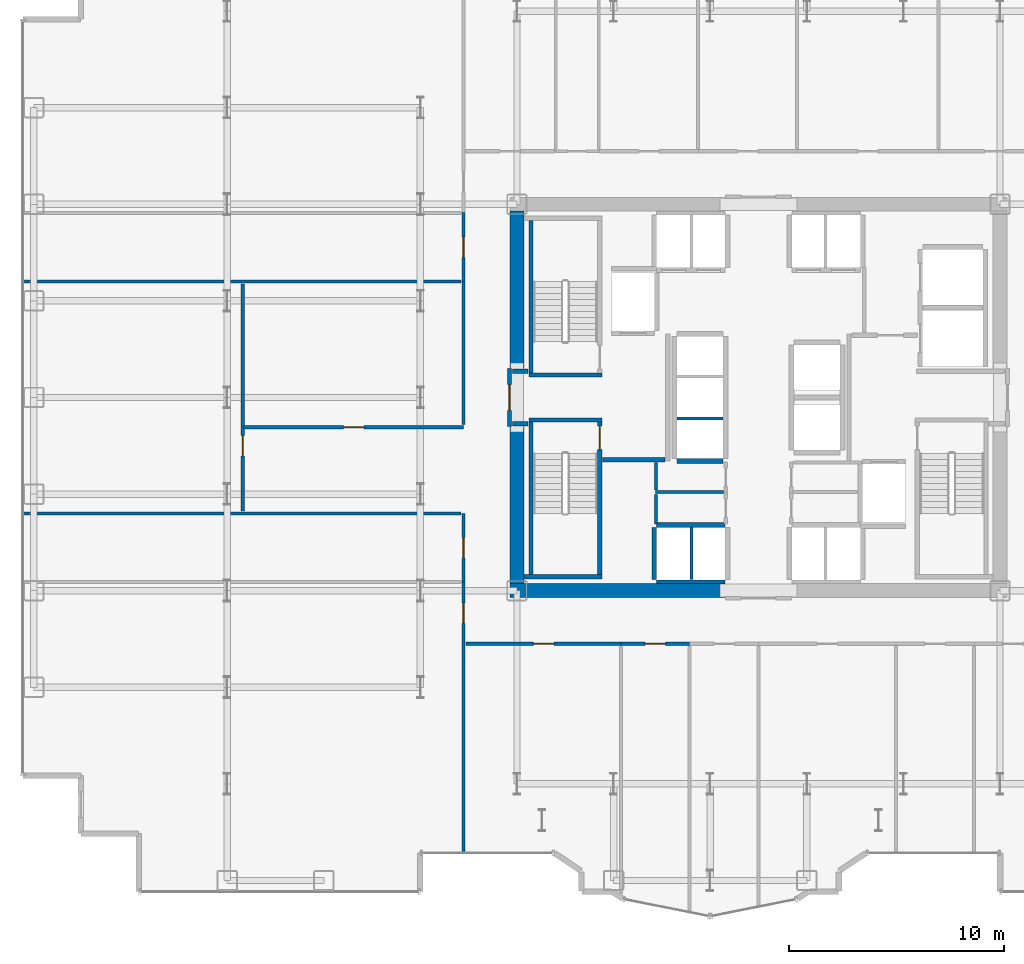
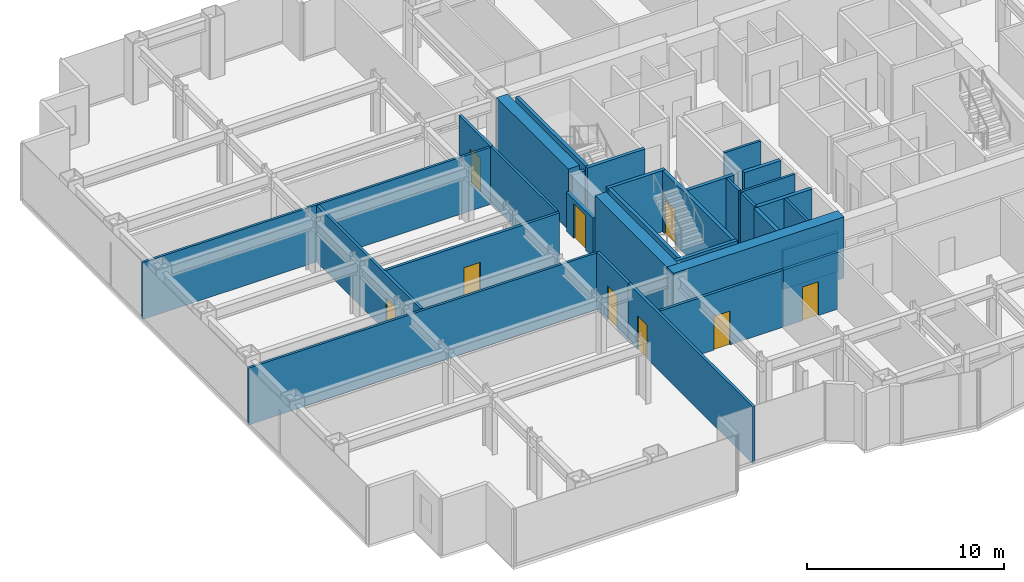
# One storey, part 20 of 25: 32 walls, 9 doors, 9 openings.
"""IFC4 building model written with IfcOpenShell, lengths in metres."""

from ifc_helpers import new_model, si_unit, direction, frame, frame_2d, origin, place, context, subcontext, project, spatial, rectangle, extrude, source, transform, mapped, material, layer, layer_set, type_object, element, fill, save


model = new_model("IFC4")

# Units and contexts
model_context = context("Model", 3, precision=1e-05, world=origin(), true_north=direction((0.0, 1.0)))
body_context = subcontext(model_context, "Body", "Model", "MODEL_VIEW")
ifc_project = project(units=[si_unit("LENGTHUNIT", "METRE"), si_unit("AREAUNIT", "SQUARE_METRE"), si_unit("VOLUMEUNIT", "CUBIC_METRE"), si_unit("PLANEANGLEUNIT", "RADIAN"), si_unit("MASSUNIT", "GRAM", prefix="KILO")], contexts=[model_context])

# Site, building, storey
site_placement = place(None, origin())
site = spatial("IfcSite", under=ifc_project, at=site_placement, CompositionType="ELEMENT")
building_placement = place(site_placement, origin())
building = spatial("IfcBuilding", under=site, at=building_placement, Name="Nefas-Gora Pilgrimage Tower", CompositionType="ELEMENT")
storey_placement = place(building_placement, frame((0.0, 0.0, 71.0)))
storey = spatial("IfcBuildingStorey", under=building, at=storey_placement, Name="L16", CompositionType="ELEMENT", Elevation=71.0)

# Walls
ifc_material_1 = material(Name="Concrete C60/75", Category="concrete")
ifc_layer_1 = layer(ifc_material_1, 0.64990234375)
ifc_layer_set_1 = layer_set([ifc_layer_1], Name="Concrete C60/75")
wall_type_1 = type_object("IfcWallType", Name="SW-CORE-650", PredefinedType="SHEAR", material=ifc_layer_set_1)
shared_shape_1 = source(origin(), body_context, "Body", "SweptSolid", [
    extrude(rectangle(XDim=10.02490234375, YDim=0.64990234375, at=frame_2d((5.012451171875, 0.0))), origin(), (0.0, 0.0, 1.0), 3.800048828125),
])
wall_1_placement = place(storey_placement, frame((-11.574951171875, -9.0, 0.0), z_axis=(0.0, 0.0, 1.0), x_axis=(1.0, 0.0, 0.0)))
element("IfcWall", 1, at=wall_1_placement, inside=storey, type_object=wall_type_1, Name="L16 Core Shear Wall S-West", PredefinedType="SHEAR", context=body_context, shape_type="MappedRepresentation", body=[
    mapped(shared_shape_1, transform((0.0, 0.0, 0.0), x_axis=(1.0, 0.0, 0.0), y_axis=(0.0, 1.0, 0.0), z_axis=(0.0, 0.0, 1.0), scale=1.0)),
])
shared_shape_2 = source(origin(), body_context, "Body", "SweptSolid", [
    extrude(rectangle(XDim=7.324951171875, YDim=0.64990234375, at=frame_2d((3.66259765625, 0.0))), origin(), (0.0, 0.0, 1.0), 3.800048828125),
])
for number, where, z_axis, x_axis, name in (
    (2, (-11.25, -8.675048828125, 0.0), (0.0, 0.0, 1.0), (0.0, 1.0, 0.0), "L16 Core Shear Wall W-South"),
    (3, (-11.25, 1.35009765625, 0.0), (0.0, 0.0, 1.0), (0.0, 1.0, 0.0), "L16 Core Shear Wall W-North"),
):
    element("IfcWall", number, at=place(storey_placement, frame(where, z_axis=z_axis, x_axis=x_axis)), inside=storey, type_object=wall_type_1, Name=name, PredefinedType="SHEAR", context=body_context, shape_type="MappedRepresentation", body=[
        mapped(shared_shape_2, transform((0.0, 0.0, 0.0), x_axis=(1.0, 0.0, 0.0), y_axis=(0.0, 1.0, 0.0), z_axis=(0.0, 0.0, 1.0), scale=1.0)),
    ])
ifc_material_2 = material(Name="Concrete C45/55", Category="concrete")
ifc_layer_2 = layer(ifc_material_2, 0.199951171875)
ifc_layer_set_2 = layer_set([ifc_layer_2], Name="Concrete C45/55")
wall_type_2 = type_object("IfcWallType", Name="IW-STAIR-200", PredefinedType="SOLIDWALL", material=ifc_layer_set_2)
shared_shape_3 = source(origin(), body_context, "Body", "SweptSolid", [
    extrude(rectangle(XDim=3.39990234375, YDim=0.199951171875, at=frame_2d((1.699951171875, 0.0))), origin(), (0.0, 0.0, 1.0), 3.800048828125),
])
for number, where, z_axis, x_axis, name in (
    (4, (-7.300048828125, 1.050048828125, 0.0), (0.0, 0.0, 1.0), (-1.0, 0.0, 0.0), "L16 Stairwell Shear Wall ST-01-near"),
    (5, (-10.699951171875, -1.050048828125, 0.0), (0.0, 0.0, 1.0), (1.0, 0.0, 0.0), "L16 Stairwell Shear Wall ST-03-near"),
):
    element("IfcWall", number, at=place(storey_placement, frame(where, z_axis=z_axis, x_axis=x_axis)), inside=storey, type_object=wall_type_2, Name=name, PredefinedType="SOLIDWALL", context=body_context, shape_type="MappedRepresentation", body=[
        mapped(shared_shape_3, transform((0.0, 0.0, 0.0), x_axis=(1.0, 0.0, 0.0), y_axis=(0.0, 1.0, 0.0), z_axis=(0.0, 0.0, 1.0), scale=1.0)),
    ])
shared_shape_4 = source(origin(), body_context, "Body", "SweptSolid", [
    extrude(rectangle(XDim=3.6298828125, YDim=0.199951171875, at=frame_2d((1.81494140625, 0.0))), origin(), (0.0, 0.0, 1.0), 3.800048828125),
])
wall_2_placement = place(storey_placement, frame((-10.929931640625, -8.35009765625, 0.0), z_axis=(0.0, 0.0, 1.0), x_axis=(1.0, 0.0, 0.0)))
element("IfcWall", 6, at=wall_2_placement, inside=storey, type_object=wall_type_2, Name="L16 Stairwell Shear Wall ST-03-far", PredefinedType="SOLIDWALL", context=body_context, shape_type="MappedRepresentation", body=[
    mapped(shared_shape_4, transform((0.0, 0.0, 0.0), x_axis=(1.0, 0.0, 0.0), y_axis=(0.0, 1.0, 0.0), z_axis=(0.0, 0.0, 1.0), scale=1.0)),
])
shared_shape_5 = source(origin(), body_context, "Body", "SweptSolid", [
    extrude(rectangle(XDim=7.10009765625, YDim=0.199951171875, at=frame_2d((3.550048828125, 0.0))), origin(), (0.0, 0.0, 1.0), 3.800048828125),
])
for number, where, z_axis, x_axis, name in (
    (7, (-10.60009765625, 1.14990234375, 0.0), (0.0, 0.0, 1.0), (0.0, 1.0, 0.0), "L16 Stairwell Shear Wall ST-01-right"),
    (8, (-10.60009765625, -1.14990234375, 0.0), (0.0, 0.0, 1.0), (0.0, -1.0, 0.0), "L16 Stairwell Shear Wall ST-03-left"),
):
    element("IfcWall", number, at=place(storey_placement, frame(where, z_axis=z_axis, x_axis=x_axis)), inside=storey, type_object=wall_type_2, Name=name, PredefinedType="SOLIDWALL", context=body_context, shape_type="MappedRepresentation", body=[
        mapped(shared_shape_5, transform((0.0, 0.0, 0.0), x_axis=(1.0, 0.0, 0.0), y_axis=(0.0, 1.0, 0.0), z_axis=(0.0, 0.0, 1.0), scale=1.0)),
    ])

# Wall, opening, door
wall_3_placement = place(storey_placement, frame((-7.39990234375, -1.14990234375, 0.0), z_axis=(0.0, 0.0, 1.0), x_axis=(0.0, -1.0, 0.0)))
wall_3 = element("IfcWall", 9, at=wall_3_placement, inside=storey, type_object=wall_type_2, Name="L16 Stairwell Shear Wall ST-03-right", PredefinedType="SOLIDWALL", context=body_context, shape_type="MappedRepresentation", body=[
    mapped(shared_shape_5, transform((0.0, 0.0, 0.0), x_axis=(1.0, 0.0, 0.0), y_axis=(0.0, 1.0, 0.0), z_axis=(0.0, 0.0, 1.0), scale=1.0)),
])
opening_1_placement = place(wall_3_placement, frame((0.179931640625, 0.0, 0.0)))
opening_1 = element("IfcOpeningElement", 10, at=opening_1_placement, cuts=wall_3, Name="Opening ID-ST1", PredefinedType="OPENING", context=body_context, shape_type="SweptSolid", body=[
    extrude(rectangle(XDim=1.10009765625, YDim=2.14990234375, at=frame_2d((0.550048828125, 1.074951171875))), frame((0.0, 0.10986328125, 0.0), z_axis=(0.0, -1.0, 0.0), x_axis=(1.0, 0.0, 0.0)), (0.0, 0.0, 1.0), 0.219970703125),
])
ifc_material_3 = material(Name="Painted galvanised steel fire stair door", Category="steel")
door_type_1 = type_object("IfcDoorType", Name="DR-INT-STAIR-1100", OperationType="NOTDEFINED", PredefinedType="DOOR", material=ifc_material_3)
shared_shape_6 = source(origin(), body_context, "Body", "SweptSolid", [
    extrude(rectangle(XDim=1.10009765625, YDim=2.14990234375, at=frame_2d((0.550048828125, 1.074951171875))), frame((0.0, 0.02490234375, 0.0), z_axis=(0.0, -1.0, 0.0), x_axis=(1.0, 0.0, 0.0)), (0.0, 0.0, 1.0), 0.050048828125),
])
door_1_placement = place(opening_1_placement, origin())
door_1 = element("IfcDoor", 11, at=door_1_placement, inside=storey, type_object=door_type_1, Name="L16 Protected Exit Stair Door ST-03", OperationType="SINGLE_SWING_RIGHT", OverallHeight=2.14990234375, OverallWidth=1.10009765625, PredefinedType="DOOR", context=body_context, shape_type="MappedRepresentation", body=[
    mapped(shared_shape_6, transform((0.0, 0.0, 0.0), x_axis=(1.0, 0.0, 0.0), y_axis=(0.0, 1.0, 0.0), z_axis=(0.0, 0.0, 1.0), scale=1.0)),
])
fill(opening_1, door_1)

# Walls
ifc_material_4 = material(Name="Concrete C40/50", Category="concrete")
ifc_layer_3 = layer(ifc_material_4, 0.219970703125)
ifc_layer_set_3 = layer_set([ifc_layer_3], Name="Concrete C40/50")
wall_type_3 = type_object("IfcWallType", Name="IW-SHAFT-220", PredefinedType="SOLIDWALL", material=ifc_layer_set_3)
shared_shape_7 = source(origin(), body_context, "Body", "SweptSolid", [
    extrude(rectangle(XDim=3.199951171875, YDim=0.219970703125, at=frame_2d((1.60009765625, 0.0))), origin(), (0.0, 0.0, 1.0), 3.534912109375),
])
wall_4_placement = place(storey_placement, frame((-1.550048828125, -5.93994140625, 0.0), z_axis=(0.0, 0.0, 1.0), x_axis=(-1.0, 0.0, 0.0)))
element("IfcWall", 12, at=wall_4_placement, inside=storey, type_object=wall_type_3, Name="L16 Hoistway Wall PL2-W-N", PredefinedType="SOLIDWALL", context=body_context, shape_type="MappedRepresentation", body=[
    mapped(shared_shape_7, transform((0.0, 0.0, 0.0), x_axis=(1.0, 0.0, 0.0), y_axis=(0.0, 1.0, 0.0), z_axis=(0.0, 0.0, 1.0), scale=1.0)),
])
ifc_material_5 = material(Name="Gypsum acoustic stud partition")
ifc_layer_4 = layer(ifc_material_5, 0.159912109375)
ifc_layer_set_4 = layer_set([ifc_layer_4], Name="Gypsum acoustic stud partition")
wall_type_4 = type_object("IfcWallType", Name="IW-CORR-160", PredefinedType="PARTITIONING", material=ifc_layer_set_4)
shared_shape_8 = source(origin(), body_context, "Body", "SweptSolid", [
    extrude(rectangle(XDim=3.199951171875, YDim=0.159912109375, at=frame_2d((1.60009765625, 0.0))), origin(), (0.0, 0.0, 1.0), 2.425048828125),
])
wall_5_placement = place(storey_placement, frame((-4.75, -8.580078125, 0.0), z_axis=(0.0, 0.0, 1.0), x_axis=(1.0, 0.0, 0.0)))
element("IfcWall", 13, at=wall_5_placement, inside=storey, type_object=wall_type_4, Name="L16 Hoistway Wall PL2-W-S", PredefinedType="PARTITIONING", context=body_context, shape_type="MappedRepresentation", body=[
    mapped(shared_shape_8, transform((0.0, 0.0, 0.0), x_axis=(1.0, 0.0, 0.0), y_axis=(0.0, 1.0, 0.0), z_axis=(0.0, 0.0, 1.0), scale=1.0)),
])
shared_shape_9 = source(origin(), body_context, "Body", "SweptSolid", [
    extrude(rectangle(XDim=2.429931640625, YDim=0.219970703125, at=frame_2d((1.21484375, 0.0))), origin(), (0.0, 0.0, 1.0), 3.534912109375),
])
wall_6_placement = place(storey_placement, frame((-4.860107421875, -6.06005859375, 0.0), z_axis=(0.0, 0.0, 1.0), x_axis=(0.0, -1.0, 0.0)))
element("IfcWall", 14, at=wall_6_placement, inside=storey, type_object=wall_type_3, Name="L16 Hoistway Wall PL2-W-W", PredefinedType="SOLIDWALL", context=body_context, shape_type="MappedRepresentation", body=[
    mapped(shared_shape_9, transform((0.0, 0.0, 0.0), x_axis=(1.0, 0.0, 0.0), y_axis=(0.0, 1.0, 0.0), z_axis=(0.0, 0.0, 1.0), scale=1.0)),
])
ifc_material_6 = material(Name="Gypsum twin-stud partition")
ifc_layer_5 = layer(ifc_material_6, 0.139892578125)
ifc_layer_set_5 = layer_set([ifc_layer_5], Name="Gypsum twin-stud partition")
wall_type_5 = type_object("IfcWallType", Name="IW-UNIT-140", PredefinedType="PARTITIONING", material=ifc_layer_set_5)
shared_shape_10 = source(origin(), body_context, "Body", "SweptSolid", [
    extrude(rectangle(XDim=2.429931640625, YDim=0.139892578125, at=frame_2d((1.21484375, 0.0))), origin(), (0.0, 0.0, 1.0), 3.534912109375),
])
wall_7_placement = place(storey_placement, frame((-3.125, -8.489990234375, 0.0), z_axis=(0.0, 0.0, 1.0), x_axis=(0.0, 1.0, 0.0)))
element("IfcWall", 15, at=wall_7_placement, inside=storey, type_object=wall_type_5, Name="L16 Hoistway Wall PL2-W-DIV", PredefinedType="PARTITIONING", context=body_context, shape_type="MappedRepresentation", body=[
    mapped(shared_shape_10, transform((0.0, 0.0, 0.0), x_axis=(1.0, 0.0, 0.0), y_axis=(0.0, 1.0, 0.0), z_axis=(0.0, 0.0, 1.0), scale=1.0)),
])
shared_shape_11 = source(origin(), body_context, "Body", "SweptSolid", [
    extrude(rectangle(XDim=2.130126953125, YDim=0.219970703125, at=frame_2d((1.06494140625, 0.0))), origin(), (0.0, 0.0, 1.0), 3.534912109375),
])
wall_8_placement = place(storey_placement, frame((-3.7900390625, -2.9599609375, 0.0), z_axis=(0.0, 0.0, 1.0), x_axis=(1.0, 0.0, 0.0)))
element("IfcWall", 16, at=wall_8_placement, inside=storey, type_object=wall_type_3, Name="L16 Hoistway Wall PL3-01-S", PredefinedType="SOLIDWALL", context=body_context, shape_type="MappedRepresentation", body=[
    mapped(shared_shape_11, transform((0.0, 0.0, 0.0), x_axis=(1.0, 0.0, 0.0), y_axis=(0.0, 1.0, 0.0), z_axis=(0.0, 0.0, 1.0), scale=1.0)),
])
shared_shape_12 = source(origin(), body_context, "Body", "SweptSolid", [
    extrude(rectangle(XDim=2.130126953125, YDim=0.139892578125, at=frame_2d((1.06494140625, 0.0))), origin(), (0.0, 0.0, 1.0), 3.534912109375),
])
wall_9_placement = place(storey_placement, frame((-3.7900390625, -0.97509765625, 0.0), z_axis=(0.0, 0.0, 1.0), x_axis=(1.0, 0.0, 0.0)))
element("IfcWall", 17, at=wall_9_placement, inside=storey, type_object=wall_type_5, Name="L16 Hoistway Wall PL3-01-02-DIV", PredefinedType="PARTITIONING", context=body_context, shape_type="MappedRepresentation", body=[
    mapped(shared_shape_12, transform((0.0, 0.0, 0.0), x_axis=(1.0, 0.0, 0.0), y_axis=(0.0, 1.0, 0.0), z_axis=(0.0, 0.0, 1.0), scale=1.0)),
])

# Wall, opening, door
ifc_material_7 = material(Name="Gypsum fire-rated shaftwall")
ifc_layer_6 = layer(ifc_material_7, 0.199951171875)
ifc_layer_set_6 = layer_set([ifc_layer_6], Name="Gypsum fire-rated shaftwall")
wall_type_6 = type_object("IfcWallType", Name="IW-FFLOB-200", PredefinedType="PARTITIONING", material=ifc_layer_set_6)
shared_shape_13 = source(origin(), body_context, "Body", "SweptSolid", [
    extrude(rectangle(XDim=2.7001953125, YDim=0.199951171875, at=frame_2d((1.35009765625, 0.0))), origin(), (0.0, 0.0, 1.0), 2.425048828125),
])
wall_10_placement = place(storey_placement, frame((-11.60009765625, -1.35009765625, 0.0), z_axis=(0.0, 0.0, 1.0), x_axis=(0.0, 1.0, 0.0)))
wall_10 = element("IfcWall", 18, at=wall_10_placement, inside=storey, type_object=wall_type_6, Name="L16 FF Lobby West Portal Wall 3", PredefinedType="PARTITIONING", context=body_context, shape_type="MappedRepresentation", body=[
    mapped(shared_shape_13, transform((0.0, 0.0, 0.0), x_axis=(1.0, 0.0, 0.0), y_axis=(0.0, 1.0, 0.0), z_axis=(0.0, 0.0, 1.0), scale=1.0)),
])
opening_2_placement = place(wall_10_placement, frame((0.75, 0.0, 0.0)))
opening_2 = element("IfcOpeningElement", 19, at=opening_2_placement, cuts=wall_10, Name="Opening ID-FF1", PredefinedType="OPENING", context=body_context, shape_type="SweptSolid", body=[
    extrude(rectangle(XDim=1.199951171875, YDim=2.14990234375, at=frame_2d((0.60009765625, 1.074951171875))), frame((0.0, 0.10986328125, 0.0), z_axis=(0.0, -1.0, 0.0), x_axis=(1.0, 0.0, 0.0)), (0.0, 0.0, 1.0), 0.219970703125),
])
ifc_material_8 = material(Name="Smoke-sealed steel firefighting lobby door", Category="steel")
door_type_2 = type_object("IfcDoorType", Name="DR-INT-FFLOB-1200", OperationType="NOTDEFINED", PredefinedType="DOOR", material=ifc_material_8)
shared_shape_14 = source(origin(), body_context, "Body", "SweptSolid", [
    extrude(rectangle(XDim=1.199951171875, YDim=2.14990234375, at=frame_2d((0.60009765625, 1.074951171875))), frame((0.0, 0.02490234375, 0.0), z_axis=(0.0, -1.0, 0.0), x_axis=(1.0, 0.0, 0.0)), (0.0, 0.0, 1.0), 0.050048828125),
])
door_2_placement = place(opening_2_placement, origin())
door_2 = element("IfcDoor", 20, at=door_2_placement, inside=storey, type_object=door_type_2, Name="L16 FF Lobby West Portal Door 1", OperationType="SINGLE_SWING_RIGHT", OverallHeight=2.14990234375, OverallWidth=1.199951171875, PredefinedType="DOOR", context=body_context, shape_type="MappedRepresentation", body=[
    mapped(shared_shape_14, transform((0.0, 0.0, 0.0), x_axis=(1.0, 0.0, 0.0), y_axis=(0.0, 1.0, 0.0), z_axis=(0.0, 0.0, 1.0), scale=1.0)),
])
fill(opening_2, door_2)

# Walls
shared_shape_15 = source(origin(), body_context, "Body", "SweptSolid", [
    extrude(rectangle(XDim=2.89990234375, YDim=0.199951171875, at=frame_2d((1.449951171875, 0.0))), origin(), (0.0, 0.0, 1.0), 3.534912109375),
])
wall_11_placement = place(storey_placement, frame((-7.260009765625, -2.89990234375, 0.0), z_axis=(0.0, 0.0, 1.0), x_axis=(1.0, 0.0, 0.0)))
element("IfcWall", 21, at=wall_11_placement, inside=storey, type_object=wall_type_6, Name="L16 FF Lobby West South Wall Wall 5", PredefinedType="PARTITIONING", context=body_context, shape_type="MappedRepresentation", body=[
    mapped(shared_shape_15, transform((0.0, 0.0, 0.0), x_axis=(1.0, 0.0, 0.0), y_axis=(0.0, 1.0, 0.0), z_axis=(0.0, 0.0, 1.0), scale=1.0)),
])
shared_shape_16 = source(origin(), body_context, "Body", "SweptSolid", [
    extrude(rectangle(XDim=0.719970703125, YDim=0.199951171875, at=frame_2d((0.35986328125, 0.0))), origin(), (0.0, 0.0, 1.0), 3.534912109375),
])
for number, where, z_axis, x_axis, name in (
    (22, (-11.4599609375, 1.219970703125, 0.0), (0.0, 0.0, 1.0), (1.0, 0.0, 0.0), "L16 FF Lobby West Throat N Wall 6"),
    (23, (-11.4599609375, -1.219970703125, 0.0), (0.0, 0.0, 1.0), (1.0, 0.0, 0.0), "L16 FF Lobby West Throat S Wall 7"),
):
    element("IfcWall", number, at=place(storey_placement, frame(where, z_axis=z_axis, x_axis=x_axis)), inside=storey, type_object=wall_type_6, Name=name, PredefinedType="PARTITIONING", context=body_context, shape_type="MappedRepresentation", body=[
        mapped(shared_shape_16, transform((0.0, 0.0, 0.0), x_axis=(1.0, 0.0, 0.0), y_axis=(0.0, 1.0, 0.0), z_axis=(0.0, 0.0, 1.0), scale=1.0)),
    ])

# Wall, opening, door
shared_shape_17 = source(origin(), body_context, "Body", "SweptSolid", [
    extrude(rectangle(XDim=10.25, YDim=0.159912109375, at=frame_2d((5.125, 0.0))), origin(), (0.0, 0.0, 1.0), 3.534912109375),
])
wall_12_placement = place(storey_placement, frame((-23.97998046875, -1.3798828125, 0.0), z_axis=(0.0, 0.0, 1.0), x_axis=(1.0, 0.0, 0.0)))
wall_12 = element("IfcWall", 24, at=wall_12_placement, inside=storey, type_object=wall_type_4, Name="L16 Pilgrim Floor Concierge Foyer Partition Wall 32", PredefinedType="PARTITIONING", context=body_context, shape_type="MappedRepresentation", body=[
    mapped(shared_shape_17, transform((0.0, 0.0, 0.0), x_axis=(1.0, 0.0, 0.0), y_axis=(0.0, 1.0, 0.0), z_axis=(0.0, 0.0, 1.0), scale=1.0)),
])
opening_3_placement = place(wall_12_placement, frame((4.64990234375, 0.0, 0.0)))
opening_3 = element("IfcOpeningElement", 25, at=opening_3_placement, cuts=wall_12, Name="Opening ID-GR1", PredefinedType="OPENING", context=body_context, shape_type="SweptSolid", body=[
    extrude(rectangle(XDim=0.949951171875, YDim=2.10009765625, at=frame_2d((0.47509765625, 1.050048828125))), frame((0.0, 0.08984375, 0.0), z_axis=(0.0, -1.0, 0.0), x_axis=(1.0, 0.0, 0.0)), (0.0, 0.0, 1.0), 0.179931640625),
])
ifc_material_9 = material(Name="Solid core oak fire-rated guest entrance door")
door_type_3 = type_object("IfcDoorType", Name="DR-INT-GUEST-950", OperationType="NOTDEFINED", PredefinedType="DOOR", material=ifc_material_9)
shared_shape_18 = source(origin(), body_context, "Body", "SweptSolid", [
    extrude(rectangle(XDim=0.949951171875, YDim=2.10009765625, at=frame_2d((0.47509765625, 1.050048828125))), frame((0.0, 0.02490234375, 0.0), z_axis=(0.0, -1.0, 0.0), x_axis=(1.0, 0.0, 0.0)), (0.0, 0.0, 1.0), 0.050048828125),
])
door_3_placement = place(opening_3_placement, origin())
door_3 = element("IfcDoor", 26, at=door_3_placement, inside=storey, type_object=door_type_3, Name="L16 Pilgrim Floor Concierge Foyer Door 13", OperationType="SINGLE_SWING_RIGHT", OverallHeight=2.10009765625, OverallWidth=0.949951171875, PredefinedType="DOOR", context=body_context, shape_type="MappedRepresentation", body=[
    mapped(shared_shape_18, transform((0.0, 0.0, 0.0), x_axis=(1.0, 0.0, 0.0), y_axis=(0.0, 1.0, 0.0), z_axis=(0.0, 0.0, 1.0), scale=1.0)),
])
fill(opening_3, door_3)

# Walls
shared_shape_19 = source(origin(), body_context, "Body", "SweptSolid", [
    extrude(rectangle(XDim=20.429931640625, YDim=0.139892578125, at=frame_2d((10.21484375, 0.0))), origin(), (0.0, 0.0, 1.0), 3.534912109375),
])
wall_13_placement = place(storey_placement, frame((-34.2900390625, -5.405029296875, 0.0), z_axis=(0.0, 0.0, 1.0), x_axis=(1.0, 0.0, 0.0)))
element("IfcWall", 27, at=wall_13_placement, inside=storey, type_object=wall_type_5, Name="L16 Pilgrim Floor Concierge Foyer Partition Wall 31", PredefinedType="PARTITIONING", context=body_context, shape_type="MappedRepresentation", body=[
    mapped(shared_shape_19, transform((0.0, 0.0, 0.0), x_axis=(1.0, 0.0, 0.0), y_axis=(0.0, 1.0, 0.0), z_axis=(0.0, 0.0, 1.0), scale=1.0)),
])
shared_shape_20 = source(origin(), body_context, "Body", "SweptSolid", [
    extrude(rectangle(XDim=20.43994140625, YDim=0.139892578125, at=frame_2d((10.219970703125, 0.0))), origin(), (0.0, 0.0, 1.0), 3.534912109375),
])
wall_14_placement = place(storey_placement, frame((-34.2900390625, 5.39501953125, 0.0), z_axis=(0.0, 0.0, 1.0), x_axis=(1.0, 0.0, 0.0)))
element("IfcWall", 28, at=wall_14_placement, inside=storey, type_object=wall_type_5, Name="L16 Pilgrim Floor Concierge Foyer Partition Wall 34", PredefinedType="PARTITIONING", context=body_context, shape_type="MappedRepresentation", body=[
    mapped(shared_shape_20, transform((0.0, 0.0, 0.0), x_axis=(1.0, 0.0, 0.0), y_axis=(0.0, 1.0, 0.0), z_axis=(0.0, 0.0, 1.0), scale=1.0)),
])
shared_shape_21 = source(origin(), body_context, "Body", "SweptSolid", [
    extrude(rectangle(XDim=3.150146484375, YDim=0.139892578125, at=frame_2d((1.5751953125, 0.0))), origin(), (0.0, 0.0, 1.0), 3.534912109375),
])
wall_15_placement = place(storey_placement, frame((-4.7900390625, -4.409912109375, 0.0), z_axis=(0.0, 0.0, 1.0), x_axis=(1.0, 0.0, 0.0)))
element("IfcWall", 29, at=wall_15_placement, inside=storey, type_object=wall_type_5, Name="L16 Housekeeping and Linen Store Partition Wall 17", PredefinedType="PARTITIONING", context=body_context, shape_type="MappedRepresentation", body=[
    mapped(shared_shape_21, transform((0.0, 0.0, 0.0), x_axis=(1.0, 0.0, 0.0), y_axis=(0.0, 1.0, 0.0), z_axis=(0.0, 0.0, 1.0), scale=1.0)),
])
shared_shape_22 = source(origin(), body_context, "Body", "SweptSolid", [
    extrude(rectangle(XDim=1.260009765625, YDim=0.139892578125, at=frame_2d((0.6298828125, 0.0))), origin(), (0.0, 0.0, 1.0), 3.534912109375),
])
wall_16_placement = place(storey_placement, frame((-4.780029296875, -4.300048828125, 0.0), z_axis=(0.0, 0.0, 1.0), x_axis=(0.0, 1.0, 0.0)))
element("IfcWall", 30, at=wall_16_placement, inside=storey, type_object=wall_type_5, Name="L16 Housekeeping and Linen Store Partition Wall 18", PredefinedType="PARTITIONING", context=body_context, shape_type="MappedRepresentation", body=[
    mapped(shared_shape_22, transform((0.0, 0.0, 0.0), x_axis=(1.0, 0.0, 0.0), y_axis=(0.0, 1.0, 0.0), z_axis=(0.0, 0.0, 1.0), scale=1.0)),
])
shared_shape_23 = source(origin(), body_context, "Body", "SweptSolid", [
    extrude(rectangle(XDim=1.369873046875, YDim=0.139892578125, at=frame_2d((0.68505859375, 0.0))), origin(), (0.0, 0.0, 1.0), 3.534912109375),
])
wall_17_placement = place(storey_placement, frame((-4.780029296875, -5.889892578125, 0.0), z_axis=(0.0, 0.0, 1.0), x_axis=(0.0, 1.0, 0.0)))
element("IfcWall", 31, at=wall_17_placement, inside=storey, type_object=wall_type_5, Name="L16 Guest Self-Service Laundry Room Partition Wall 20", PredefinedType="PARTITIONING", context=body_context, shape_type="MappedRepresentation", body=[
    mapped(shared_shape_23, transform((0.0, 0.0, 0.0), x_axis=(1.0, 0.0, 0.0), y_axis=(0.0, 1.0, 0.0), z_axis=(0.0, 0.0, 1.0), scale=1.0)),
])

# Wall, opening, door
shared_shape_24 = source(origin(), body_context, "Body", "SweptSolid", [
    extrude(rectangle(XDim=12.64501953125, YDim=0.159912109375, at=frame_2d((6.322509765625, 0.0))), origin(), (0.0, 0.0, 1.0), 3.534912109375),
])
wall_18_placement = place(storey_placement, frame((-13.739990234375, -21.239990234375, 0.0), z_axis=(0.0, 0.0, 1.0), x_axis=(0.0, 1.0, 0.0)))
wall_18 = element("IfcWall", 32, at=wall_18_placement, inside=storey, type_object=wall_type_4, Name="L16 Pilgrim Floor Concierge Foyer Partition Wall 28", PredefinedType="PARTITIONING", context=body_context, shape_type="MappedRepresentation", body=[
    mapped(shared_shape_24, transform((0.0, 0.0, 0.0), x_axis=(1.0, 0.0, 0.0), y_axis=(0.0, 1.0, 0.0), z_axis=(0.0, 0.0, 1.0), scale=1.0)),
])
opening_4_placement = place(wall_18_placement, frame((10.71240234375, 0.0, 0.0)))
opening_4 = element("IfcOpeningElement", 33, at=opening_4_placement, cuts=wall_18, Name="Opening ID-GR1", PredefinedType="OPENING", context=body_context, shape_type="SweptSolid", body=[
    extrude(rectangle(XDim=0.949951171875, YDim=2.10009765625, at=frame_2d((0.47509765625, 1.050048828125))), frame((0.0, 0.08984375, 0.0), z_axis=(0.0, -1.0, 0.0), x_axis=(1.0, 0.0, 0.0)), (0.0, 0.0, 1.0), 0.179931640625),
])
door_4_placement = place(opening_4_placement, origin())
door_4 = element("IfcDoor", 34, at=door_4_placement, inside=storey, type_object=door_type_3, Name="L16 Pilgrim Floor Concierge Foyer Door 11", OperationType="SINGLE_SWING_RIGHT", OverallHeight=2.10009765625, OverallWidth=0.949951171875, PredefinedType="DOOR", context=body_context, shape_type="MappedRepresentation", body=[
    mapped(shared_shape_18, transform((0.0, 0.0, 0.0), x_axis=(1.0, 0.0, 0.0), y_axis=(0.0, 1.0, 0.0), z_axis=(0.0, 0.0, 1.0), scale=1.0)),
])
fill(opening_4, door_4)

shared_shape_25 = source(origin(), body_context, "Body", "SweptSolid", [
    extrude(rectangle(XDim=3.2099609375, YDim=0.159912109375, at=frame_2d((1.60498046875, 0.0))), origin(), (0.0, 0.0, 1.0), 3.534912109375),
])
wall_19_placement = place(storey_placement, frame((-13.739990234375, -8.60498046875, 0.0), z_axis=(0.0, 0.0, 1.0), x_axis=(0.0, 1.0, 0.0)))
wall_19 = element("IfcWall", 35, at=wall_19_placement, inside=storey, type_object=wall_type_4, Name="L16 Pilgrim Floor Concierge Foyer Partition Wall 30", PredefinedType="PARTITIONING", context=body_context, shape_type="MappedRepresentation", body=[
    mapped(shared_shape_25, transform((0.0, 0.0, 0.0), x_axis=(1.0, 0.0, 0.0), y_axis=(0.0, 1.0, 0.0), z_axis=(0.0, 0.0, 1.0), scale=1.0)),
])
opening_5_placement = place(wall_19_placement, frame((1.1298828125, 0.0, 0.0)))
opening_5 = element("IfcOpeningElement", 36, at=opening_5_placement, cuts=wall_19, Name="Opening ID-GR1", PredefinedType="OPENING", context=body_context, shape_type="SweptSolid", body=[
    extrude(rectangle(XDim=0.949951171875, YDim=2.10009765625, at=frame_2d((0.47509765625, 1.050048828125))), frame((0.0, 0.08984375, 0.0), z_axis=(0.0, -1.0, 0.0), x_axis=(1.0, 0.0, 0.0)), (0.0, 0.0, 1.0), 0.179931640625),
])
door_5_placement = place(opening_5_placement, origin())
door_5 = element("IfcDoor", 37, at=door_5_placement, inside=storey, type_object=door_type_3, Name="L16 Pilgrim Floor Concierge Foyer Door 12", OperationType="SINGLE_SWING_LEFT", OverallHeight=2.10009765625, OverallWidth=0.949951171875, PredefinedType="DOOR", context=body_context, shape_type="MappedRepresentation", body=[
    mapped(shared_shape_18, transform((0.0, 0.0, 0.0), x_axis=(1.0, 0.0, 0.0), y_axis=(0.0, 1.0, 0.0), z_axis=(0.0, 0.0, 1.0), scale=1.0)),
])
fill(opening_5, door_5)

wall_20_placement = place(storey_placement, frame((-13.739990234375, 5.39501953125, 0.0), z_axis=(0.0, 0.0, 1.0), x_axis=(0.0, 1.0, 0.0)))
wall_20 = element("IfcWall", 38, at=wall_20_placement, inside=storey, type_object=wall_type_4, Name="L16 Pilgrim Fellowship Seminar Room Partition Wall 36", PredefinedType="PARTITIONING", context=body_context, shape_type="MappedRepresentation", body=[
    mapped(shared_shape_25, transform((0.0, 0.0, 0.0), x_axis=(1.0, 0.0, 0.0), y_axis=(0.0, 1.0, 0.0), z_axis=(0.0, 0.0, 1.0), scale=1.0)),
])
opening_6_placement = place(wall_20_placement, frame((1.1298828125, 0.0, 0.0)))
opening_6 = element("IfcOpeningElement", 39, at=opening_6_placement, cuts=wall_20, Name="Opening ID-GR1", PredefinedType="OPENING", context=body_context, shape_type="SweptSolid", body=[
    extrude(rectangle(XDim=0.949951171875, YDim=2.10009765625, at=frame_2d((0.47509765625, 1.050048828125))), frame((0.0, 0.08984375, 0.0), z_axis=(0.0, -1.0, 0.0), x_axis=(1.0, 0.0, 0.0)), (0.0, 0.0, 1.0), 0.179931640625),
])
door_6_placement = place(opening_6_placement, origin())
door_6 = element("IfcDoor", 40, at=door_6_placement, inside=storey, type_object=door_type_3, Name="L16 Pilgrim Fellowship Seminar Room Door 15", OperationType="SINGLE_SWING_RIGHT", OverallHeight=2.10009765625, OverallWidth=0.949951171875, PredefinedType="DOOR", context=body_context, shape_type="MappedRepresentation", body=[
    mapped(shared_shape_18, transform((0.0, 0.0, 0.0), x_axis=(1.0, 0.0, 0.0), y_axis=(0.0, 1.0, 0.0), z_axis=(0.0, 0.0, 1.0), scale=1.0)),
])
fill(opening_6, door_6)

# Wall
shared_shape_26 = source(origin(), body_context, "Body", "SweptSolid", [
    extrude(rectangle(XDim=6.6650390625, YDim=0.139892578125, at=frame_2d((3.33251953125, 0.0))), origin(), (0.0, 0.0, 1.0), 3.534912109375),
])
wall_21_placement = place(storey_placement, frame((-13.739990234375, -1.260009765625, 0.0), z_axis=(0.0, 0.0, 1.0), x_axis=(0.0, 1.0, 0.0)))
element("IfcWall", 41, at=wall_21_placement, inside=storey, type_object=wall_type_5, Name="L16 Pilgrim Floor Concierge Foyer Partition Wall 33", PredefinedType="PARTITIONING", context=body_context, shape_type="MappedRepresentation", body=[
    mapped(shared_shape_26, transform((0.0, 0.0, 0.0), x_axis=(1.0, 0.0, 0.0), y_axis=(0.0, 1.0, 0.0), z_axis=(0.0, 0.0, 1.0), scale=1.0)),
])

# Wall, opening, door
shared_shape_27 = source(origin(), body_context, "Body", "SweptSolid", [
    extrude(rectangle(XDim=10.579833984375, YDim=0.159912109375, at=frame_2d((5.2900390625, 0.0))), origin(), (0.0, 0.0, 1.0), 3.534912109375),
])
wall_22_placement = place(storey_placement, frame((-24.02001953125, -5.294921875, 0.0), z_axis=(0.0, 0.0, 1.0), x_axis=(0.0, 1.0, 0.0)))
wall_22 = element("IfcWall", 42, at=wall_22_placement, inside=storey, type_object=wall_type_4, Name="L16 Pilgrim Tea and Beverage Pantry Partition Wall 35", PredefinedType="PARTITIONING", context=body_context, shape_type="MappedRepresentation", body=[
    mapped(shared_shape_27, transform((0.0, 0.0, 0.0), x_axis=(1.0, 0.0, 0.0), y_axis=(0.0, 1.0, 0.0), z_axis=(0.0, 0.0, 1.0), scale=1.0)),
])
opening_7_placement = place(wall_22_placement, frame((2.570068359375, 0.0, 0.0)))
opening_7 = element("IfcOpeningElement", 43, at=opening_7_placement, cuts=wall_22, Name="Opening ID-GR1", PredefinedType="OPENING", context=body_context, shape_type="SweptSolid", body=[
    extrude(rectangle(XDim=0.949951171875, YDim=2.10009765625, at=frame_2d((0.47509765625, 1.050048828125))), frame((0.0, 0.08984375, 0.0), z_axis=(0.0, -1.0, 0.0), x_axis=(1.0, 0.0, 0.0)), (0.0, 0.0, 1.0), 0.179931640625),
])
door_7_placement = place(opening_7_placement, origin())
door_7 = element("IfcDoor", 44, at=door_7_placement, inside=storey, type_object=door_type_3, Name="L16 Pilgrim Tea and Beverage Pantry Door 14", OperationType="SINGLE_SWING_LEFT", OverallHeight=2.10009765625, OverallWidth=0.949951171875, PredefinedType="DOOR", context=body_context, shape_type="MappedRepresentation", body=[
    mapped(shared_shape_18, transform((0.0, 0.0, 0.0), x_axis=(1.0, 0.0, 0.0), y_axis=(0.0, 1.0, 0.0), z_axis=(0.0, 0.0, 1.0), scale=1.0)),
])
fill(opening_7, door_7)

shared_shape_28 = source(origin(), body_context, "Body", "SweptSolid", [
    extrude(rectangle(XDim=7.22509765625, YDim=0.159912109375, at=frame_2d((3.612548828125, 0.0))), origin(), (0.0, 0.0, 1.0), 3.534912109375),
])
wall_23_placement = place(storey_placement, frame((-13.6201171875, -11.469970703125, 0.0), z_axis=(0.0, 0.0, 1.0), x_axis=(1.0, 0.0, 0.0)))
wall_23 = element("IfcWall", 45, at=wall_23_placement, inside=storey, type_object=wall_type_4, Name="L16 Pilgrim Contemplative Lounge Partition Wall 54", PredefinedType="PARTITIONING", context=body_context, shape_type="MappedRepresentation", body=[
    mapped(shared_shape_28, transform((0.0, 0.0, 0.0), x_axis=(1.0, 0.0, 0.0), y_axis=(0.0, 1.0, 0.0), z_axis=(0.0, 0.0, 1.0), scale=1.0)),
])
opening_8_placement = place(wall_23_placement, frame((3.137451171875, 0.0, 0.0)))
opening_8 = element("IfcOpeningElement", 46, at=opening_8_placement, cuts=wall_23, Name="Opening ID-GR1", PredefinedType="OPENING", context=body_context, shape_type="SweptSolid", body=[
    extrude(rectangle(XDim=0.949951171875, YDim=2.10009765625, at=frame_2d((0.47509765625, 1.050048828125))), frame((0.0, 0.08984375, 0.0), z_axis=(0.0, -1.0, 0.0), x_axis=(1.0, 0.0, 0.0)), (0.0, 0.0, 1.0), 0.179931640625),
])
door_8_placement = place(opening_8_placement, origin())
door_8 = element("IfcDoor", 47, at=door_8_placement, inside=storey, type_object=door_type_3, Name="L16 Pilgrim Contemplative Lounge Door 26", OperationType="SINGLE_SWING_LEFT", OverallHeight=2.10009765625, OverallWidth=0.949951171875, PredefinedType="DOOR", context=body_context, shape_type="MappedRepresentation", body=[
    mapped(shared_shape_18, transform((0.0, 0.0, 0.0), x_axis=(1.0, 0.0, 0.0), y_axis=(0.0, 1.0, 0.0), z_axis=(0.0, 0.0, 1.0), scale=1.0)),
])
fill(opening_8, door_8)

shared_shape_29 = source(origin(), body_context, "Body", "SweptSolid", [
    extrude(rectangle(XDim=3.20263671875, YDim=0.159912109375, at=frame_2d((1.601318359375, 0.0))), origin(), (0.0, 0.0, 1.0), 3.534912109375),
])
wall_24_placement = place(storey_placement, frame((-6.405029296875, -11.469970703125, 0.0), z_axis=(0.0, 0.0, 1.0), x_axis=(1.0, 0.0, 0.0)))
wall_24 = element("IfcWall", 48, at=wall_24_placement, inside=storey, type_object=wall_type_4, Name="L16 Pastoral Chaplains Counselling Office Partition Wall 59", PredefinedType="PARTITIONING", context=body_context, shape_type="MappedRepresentation", body=[
    mapped(shared_shape_29, transform((0.0, 0.0, 0.0), x_axis=(1.0, 0.0, 0.0), y_axis=(0.0, 1.0, 0.0), z_axis=(0.0, 0.0, 1.0), scale=1.0)),
])
opening_9_placement = place(wall_24_placement, frame((1.126220703125, 0.0, 0.0)))
opening_9 = element("IfcOpeningElement", 49, at=opening_9_placement, cuts=wall_24, Name="Opening ID-GR1", PredefinedType="OPENING", context=body_context, shape_type="SweptSolid", body=[
    extrude(rectangle(XDim=0.949951171875, YDim=2.10009765625, at=frame_2d((0.47509765625, 1.050048828125))), frame((0.0, 0.08984375, 0.0), z_axis=(0.0, -1.0, 0.0), x_axis=(1.0, 0.0, 0.0)), (0.0, 0.0, 1.0), 0.179931640625),
])
door_9_placement = place(opening_9_placement, origin())
door_9 = element("IfcDoor", 50, at=door_9_placement, inside=storey, type_object=door_type_3, Name="L16 Pastoral Chaplains Counselling Office Door 28", OperationType="SINGLE_SWING_LEFT", OverallHeight=2.10009765625, OverallWidth=0.949951171875, PredefinedType="DOOR", context=body_context, shape_type="MappedRepresentation", body=[
    mapped(shared_shape_18, transform((0.0, 0.0, 0.0), x_axis=(1.0, 0.0, 0.0), y_axis=(0.0, 1.0, 0.0), z_axis=(0.0, 0.0, 1.0), scale=1.0)),
])
fill(opening_9, door_9)

save(model, "model.ifc")
